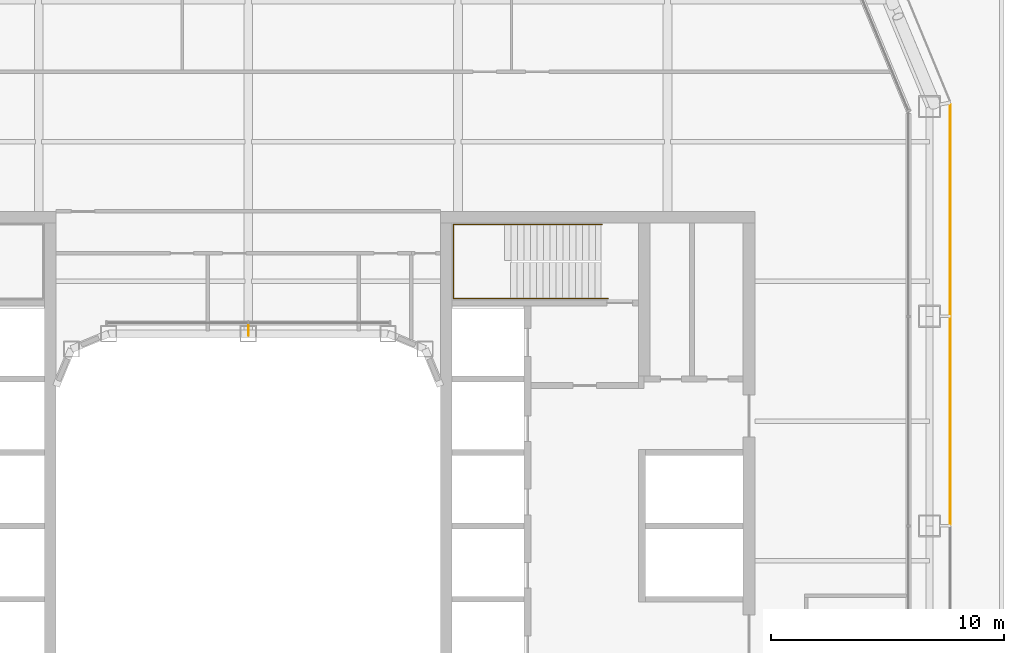
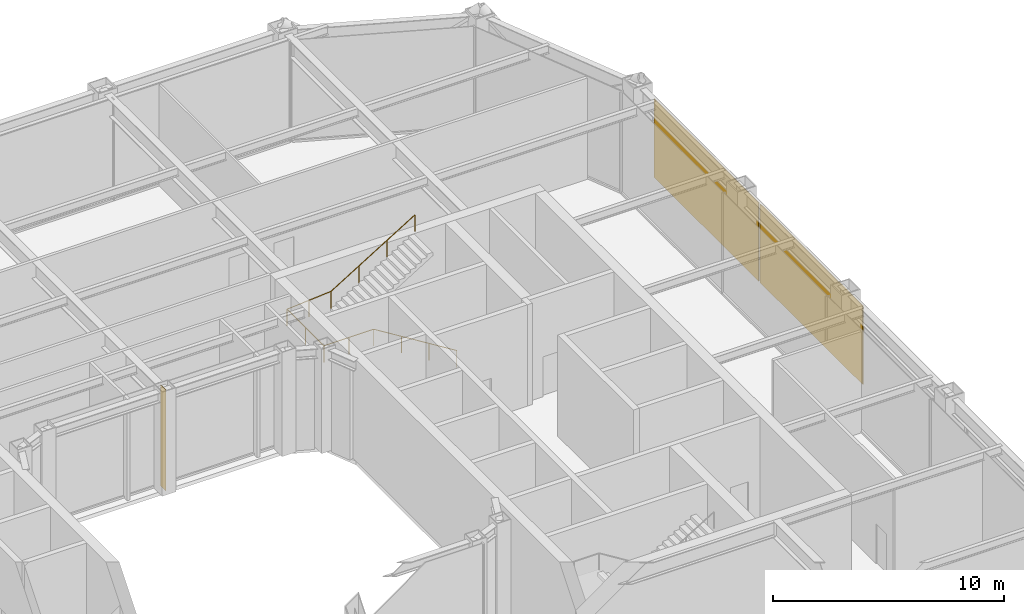
# One storey, part 20 of 21: 2 coverings, 1 railing, 1 shading device.
"""IFC4 building model written with IfcOpenShell, lengths in metres."""

import ifcopenshell
import ifcopenshell.guid

model = None  # the IFC model being written
_history = None  # IfcOwnerHistory: only IFC2X3 demands one
_inside = {}  # id of a spatial element -> (the spatial element, [elements in it])
_under = {}  # id of a project, library or spatial element -> (it, [spatial elements below it])
_declared = {}  # id of a project -> (the project, [libraries it declares])
_typed = {}  # id of a type object -> (the type object, [elements of that type])
_made_of = {}  # id of a material, layer set ... -> (it, [elements and type objects made of it])


def new_model(schema):
    """Start an empty IFC model of exactly this schema.

    Asked for "IFC4X3", IfcOpenShell would pick the latest addendum, in which some entities
    have other attributes; the version numbers below select the first issue.
    IFC2X3 requires an IfcOwnerHistory on every rooted entity: one is made here for all.
    """
    global model, _history
    if schema == "IFC4X3":
        model = ifcopenshell.file(schema_version=(4, 3, 0, 0))
    else:
        model = ifcopenshell.file(schema=schema)
    _inside.clear()
    _under.clear()
    _declared.clear()
    _typed.clear()
    _made_of.clear()
    _history = None
    if model.schema == "IFC2X3":
        org = make("IfcOrganization", Name="unknown")
        user = make(
            "IfcPersonAndOrganization",
            ThePerson=make("IfcPerson", FamilyName="unknown"),
            TheOrganization=org,
        )
        app = make(
            "IfcApplication",
            ApplicationDeveloper=org,
            Version="unknown",
            ApplicationFullName="unknown",
            ApplicationIdentifier="unknown",
        )
        _history = make(
            "IfcOwnerHistory",
            OwningUser=user,
            OwningApplication=app,
            ChangeAction="ADDED",
            CreationDate=0,
        )
    return model


def make(cls, **values):
    """One entity of the class cls with the attributes given. An attribute that is None is left unset."""
    return model.create_entity(
        cls, **{name: value for name, value in values.items() if value is not None}
    )


def rooted(cls, **values):
    """An entity with a GlobalId (a new one), such as an element, a storey or a relation."""
    return make(cls, GlobalId=ifcopenshell.guid.new(), OwnerHistory=_history, **values)


def si_unit(unit_type, name, prefix=None):
    """IfcSIUnit, for example si_unit("LENGTHUNIT", "METRE", prefix="MILLI")."""
    return make("IfcSIUnit", UnitType=unit_type, Prefix=prefix, Name=name)


def assignment(units):
    """IfcUnitAssignment: the units of a project."""
    return None if units is None else make("IfcUnitAssignment", Units=units)


def point(xyz):
    """IfcCartesianPoint."""
    return None if xyz is None else make("IfcCartesianPoint", Coordinates=xyz)


def direction(xyz):
    """IfcDirection."""
    return None if xyz is None else make("IfcDirection", DirectionRatios=xyz)


def frame(location, z_axis=None, x_axis=None):
    """IfcAxis2Placement3D, a coordinate frame: its origin and axes. An axis left out is left unset."""
    return make(
        "IfcAxis2Placement3D",
        Location=point(location),
        Axis=direction(z_axis),
        RefDirection=direction(x_axis),
    )


def frame_2d(location, x_axis=None):
    """IfcAxis2Placement2D, a coordinate frame in the plane: its origin and x axis."""
    return make(
        "IfcAxis2Placement2D", Location=point(location), RefDirection=direction(x_axis)
    )


def origin():
    """The frame at (0, 0, 0) with its axes left unset."""
    return frame((0.0, 0.0, 0.0))


def origin_2d():
    """The frame at (0, 0) in the plane with its x axis left unset."""
    return frame_2d((0.0, 0.0))


def place(relative_to, where):
    """IfcLocalPlacement: puts the frame where relative to a parent placement (None: the world)."""
    return make(
        "IfcLocalPlacement", PlacementRelTo=relative_to, RelativePlacement=where
    )


def context(
    kind, dimensions, precision=None, world=None, true_north=None, identifier=None
):
    """IfcGeometricRepresentationContext, for example the 3D "Model" context."""
    return make(
        "IfcGeometricRepresentationContext",
        ContextIdentifier=identifier,
        ContextType=kind,
        CoordinateSpaceDimension=dimensions,
        Precision=precision,
        WorldCoordinateSystem=world,
        TrueNorth=true_north,
    )


def subcontext(parent, identifier, kind, view, scale=None):
    """IfcGeometricRepresentationSubContext, for example "Body" below "Model"."""
    return make(
        "IfcGeometricRepresentationSubContext",
        ContextIdentifier=identifier,
        ContextType=kind,
        ParentContext=parent,
        TargetScale=scale,
        TargetView=view,
    )


def project(units=None, contexts=None):
    """IfcProject with its units and contexts."""
    return rooted(
        "IfcProject",
        Name="project",
        RepresentationContexts=contexts,
        UnitsInContext=assignment(units),
    )


def spatial(cls, under=None, at=None, **own):
    """A site, building, storey or space (cls), placed at a placement, below another one or the project."""
    s = rooted(cls, ObjectPlacement=at, **own)
    if under is not None:
        _under.setdefault(under.id(), (under, []))[1].append(s)
    return s


def profile(cls, at=None, kind="AREA", **sizes):
    """A parametric profile (cls). Its sizes go by their IFC names, for example OverallWidth=200.0."""
    return make(cls, ProfileType=kind, Position=at, **sizes)


def rectangle(**sizes):
    """IfcRectangleProfileDef."""
    return profile("IfcRectangleProfileDef", **sizes)


def circle(**sizes):
    """IfcCircleProfileDef."""
    return profile("IfcCircleProfileDef", **sizes)


def extrude(swept, where, along, depth):
    """IfcExtrudedAreaSolid: the profile swept, set in the frame where, extruded along a direction by depth."""
    return make(
        "IfcExtrudedAreaSolid",
        SweptArea=swept,
        Position=where,
        ExtrudedDirection=direction(along),
        Depth=depth,
    )


def shape(context_of_items, identifier, shape_type, items):
    """IfcShapeRepresentation: the items that make up one representation, for example the "Body"."""
    return make(
        "IfcShapeRepresentation",
        ContextOfItems=context_of_items,
        RepresentationIdentifier=identifier,
        RepresentationType=shape_type,
        Items=items,
    )


def material(Name=None, Category=None):
    """IfcMaterial."""
    return make("IfcMaterial", Name=Name, Category=Category)


def layer(
    of_material, thickness, ventilated=None, Name=None, Category=None, Priority=None
):
    """IfcMaterialLayer: one layer of a wall or slab, of a material (None: an air gap)."""
    return make(
        "IfcMaterialLayer",
        Material=of_material,
        LayerThickness=thickness,
        IsVentilated=ventilated,
        Name=Name,
        Category=Category,
        Priority=Priority,
    )


def layer_set(layers, Name=None):
    """IfcMaterialLayerSet."""
    return make("IfcMaterialLayerSet", MaterialLayers=layers, LayerSetName=Name)


def made_of(thing, what):
    """Note that an element or type object is made of a material, layer set ...; save() writes the relation."""
    if what is not None:
        _made_of.setdefault(what.id(), (what, []))[1].append(thing)
    return thing


def type_object(cls, material=None, **own):
    """A type object (cls), such as IfcWallType, which elements share."""
    return made_of(rooted(cls, **own), material)


def element(
    cls,
    number,
    at=None,
    inside=None,
    cuts=None,
    type_object=None,
    material=None,
    context=None,
    identifier="Body",
    shape_type=None,
    held_by="IfcProductDefinitionShape",
    body=None,
    shapes=None,
    **own,
):
    """One element of the class cls, such as IfcWall. Its Tag is "e" and its number.

    at: its placement. inside: the storey or other place that contains it. cuts: it is an
    opening in that element (IfcRelVoidsElement). A single representation is given by context,
    identifier, shape_type and body (its items); several are given by shapes. held_by: the class
    of the entity that holds the representations. save() writes the other relations.
    """
    e = rooted(cls, Tag="e%d" % number, ObjectPlacement=at, **own)
    if body is not None:
        shapes = [shape(context, identifier, shape_type, body)]
    if shapes is not None:
        e.Representation = make(held_by, Representations=shapes)
    if inside is not None:
        _inside.setdefault(inside.id(), (inside, []))[1].append(e)
    if cuts is not None:
        rooted(
            "IfcRelVoidsElement", RelatingBuildingElement=cuts, RelatedOpeningElement=e
        )
    if type_object is not None:
        _typed.setdefault(type_object.id(), (type_object, []))[1].append(e)
    return made_of(e, material)


def aggregate(whole, parts):
    """IfcRelAggregates: a whole, such as a stair, and the parts it consists of."""
    return rooted("IfcRelAggregates", RelatingObject=whole, RelatedObjects=parts)


def save(model, path):
    """Write the relations noted so far, then the file.

    IfcRelAggregates (storeys below a building ...), IfcRelContainedInSpatialStructure (elements
    in a storey), IfcRelDefinesByType, IfcRelAssociatesMaterial and IfcRelDeclares: one each for
    every whole, place, type object, material and project.
    """
    for whole, parts in _under.values():
        aggregate(whole, parts)
    for where, things in _inside.values():
        rooted(
            "IfcRelContainedInSpatialStructure",
            RelatedElements=things,
            RelatingStructure=where,
        )
    for kind, things in _typed.values():
        rooted("IfcRelDefinesByType", RelatedObjects=things, RelatingType=kind)
    for what, things in _made_of.values():
        rooted("IfcRelAssociatesMaterial", RelatedObjects=things, RelatingMaterial=what)
    for by, libraries in _declared.values():
        rooted("IfcRelDeclares", RelatingContext=by, RelatedDefinitions=libraries)
    model.write(path)


model = new_model("IFC4")

# Units and contexts
model_context = context("Model", 3, precision=1e-05, world=origin(), true_north=direction((0.0, 1.0)))
body_context = subcontext(model_context, "Body", "Model", "MODEL_VIEW")
ifc_project = project(units=[si_unit("LENGTHUNIT", "METRE"), si_unit("AREAUNIT", "SQUARE_METRE"), si_unit("VOLUMEUNIT", "CUBIC_METRE"), si_unit("PLANEANGLEUNIT", "RADIAN"), si_unit("MASSUNIT", "GRAM", prefix="KILO")], contexts=[model_context])

# Site, building, storey
site_placement = place(None, origin())
site = spatial("IfcSite", under=ifc_project, at=site_placement, CompositionType="ELEMENT")
building_placement = place(site_placement, origin())
building = spatial("IfcBuilding", under=site, at=building_placement, Name="Siwar Civic Tower", CompositionType="ELEMENT")
storey_placement = place(building_placement, frame((0.0, 0.0, 99.199951171875)))
storey = spatial("IfcBuildingStorey", under=building, at=storey_placement, Name="L21", CompositionType="ELEMENT", Elevation=99.199951171875)

# Railing
ifc_material_1 = material(Name="Stainless steel", Category="steel")
railing_type = type_object("IfcRailingType", Name="CORE-STAIR-HANDRAIL", PredefinedType="HANDRAIL", material=ifc_material_1)
railing_placement = place(storey_placement, frame((15.449951171875, 9.758056640625, 0.171875)))
element("IfcRailing", 1, at=railing_placement, inside=storey, type_object=railing_type, Name="Stair handrail ST3", PredefinedType="HANDRAIL", context=body_context, shape_type="SweptSolid", body=[
    extrude(circle(Radius=0.02001953125, at=origin_2d()), frame((0.0, 0.0, 0.8798828125), z_axis=(-0.849426996612, 0.0, 0.527706146854), x_axis=(0.0, -1.0, 0.0)), (0.0, 0.0, 1.0), 4.885498046875),
    extrude(circle(Radius=0.02001953125, at=origin_2d()), frame((-4.14990234375, 0.0, 3.4580078125), z_axis=(-1.0, 0.0, 0.0), x_axis=(0.0, -1.0, 0.0)), (0.0, 0.0, 1.0), 2.491943359375),
    extrude(circle(Radius=0.02001953125, at=origin_2d()), frame((-6.641845703125, 0.0, 3.4580078125), z_axis=(0.0, 1.0, 0.0), x_axis=(-1.0, 0.0, 0.0)), (0.0, 0.0, 1.0), 3.183837890625),
    extrude(circle(Radius=0.02001953125, at=origin_2d()), frame((-6.641845703125, 3.183837890625, 3.4580078125), z_axis=(0.996939735461, 0.0, 0.078173933367), x_axis=(0.0, 1.0, 0.0)), (0.0, 0.0, 1.0), 2.19873046875),
    extrude(circle(Radius=0.02001953125, at=origin_2d()), frame((-4.449951171875, 3.183837890625, 3.6298828125), z_axis=(0.852242915053, 0.0, 0.523146264196), x_axis=(0.0, 1.0, 0.0)), (0.0, 0.0, 1.0), 4.92822265625),
    extrude(circle(Radius=0.02001953125, at=origin_2d()), origin(), (0.0, 0.0, 1.0), 0.85986328125),
    extrude(circle(Radius=0.02001953125, at=origin_2d()), frame((-1.38330078125, 0.0, 0.859375)), (0.0, 0.0, 1.0), 0.85986328125),
    extrude(circle(Radius=0.02001953125, at=origin_2d()), frame((-2.7666015625, 0.0, 1.71875)), (0.0, 0.0, 1.0), 0.85986328125),
    extrude(circle(Radius=0.02001953125, at=origin_2d()), frame((-4.14990234375, 0.0, 2.578125)), (0.0, 0.0, 1.0), 0.85986328125),
    extrude(circle(Radius=0.02001953125, at=origin_2d()), frame((-5.39599609375, 0.0, 2.578125)), (0.0, 0.0, 1.0), 0.85986328125),
    extrude(circle(Radius=0.02001953125, at=origin_2d()), frame((-6.641845703125, 0.0, 2.578125)), (0.0, 0.0, 1.0), 0.85986328125),
    extrude(circle(Radius=0.02001953125, at=origin_2d()), frame((-6.641845703125, 1.591796875, 2.578125)), (0.0, 0.0, 1.0), 0.85986328125),
    extrude(circle(Radius=0.02001953125, at=origin_2d()), frame((-6.641845703125, 3.183837890625, 2.578125)), (0.0, 0.0, 1.0), 0.85986328125),
    extrude(circle(Radius=0.02001953125, at=origin_2d()), frame((-5.5458984375, 3.183837890625, 2.6640625)), (0.0, 0.0, 1.0), 0.85986328125),
    extrude(circle(Radius=0.02001953125, at=origin_2d()), frame((-4.449951171875, 3.183837890625, 2.75)), (0.0, 0.0, 1.0), 0.85986328125),
    extrude(circle(Radius=0.02001953125, at=origin_2d()), frame((-3.050048828125, 3.183837890625, 3.609375)), (0.0, 0.0, 1.0), 0.85986328125),
    extrude(circle(Radius=0.02001953125, at=origin_2d()), frame((-1.64990234375, 3.183837890625, 4.46875)), (0.0, 0.0, 1.0), 0.85986328125),
    extrude(circle(Radius=0.02001953125, at=origin_2d()), frame((-0.25, 3.183837890625, 5.328125)), (0.0, 0.0, 1.0), 0.85986328125),
])

# Shading device
ifc_material_2 = material(Name="Aluminium 6063-T6", Category="aluminium")
ifc_layer_1 = layer(ifc_material_2, 0.02001953125)
ifc_layer_set_1 = layer_set([ifc_layer_1], Name="Aluminium 6063-T6")
shading_device_type = type_object("IfcShadingDeviceType", Name="ENV-FIN", PredefinedType="JALOUSIE", material=ifc_layer_set_1)
shading_device_placement = place(storey_placement, frame((0.0, 8.39501953125, 0.0), z_axis=(0.0, 0.0, 1.0), x_axis=(-1.0, 0.0, 0.0)))
element("IfcShadingDevice", 2, at=shading_device_placement, inside=storey, type_object=shading_device_type, Name="SUNSHADE fin WN 1", PredefinedType="JALOUSIE", context=body_context, shape_type="SweptSolid", body=[
    extrude(rectangle(XDim=0.02001953125, YDim=0.449951171875, at=origin_2d()), origin(), (0.0, 0.0, 1.0), 5.35009765625),
])

# Coverings
ifc_material_3 = material(Name="Perforated aluminium cassette, pale metal", Category="aluminium")
ifc_layer_2 = layer(ifc_material_3, 0.0400390625)
ifc_layer_set_2 = layer_set([ifc_layer_2], Name="Perforated aluminium cassette, pale metal")
covering_type = type_object("IfcCoveringType", Name="ENV-OUTER SKIN OS-1", PredefinedType="CLADDING", material=ifc_layer_set_2)
covering_1_placement = place(storey_placement, frame((30.14990234375, 4.5, 0.0), z_axis=(0.0, 0.0, 1.0), x_axis=(0.0, 1.0, 0.0)))
element("IfcCovering", 3, at=covering_1_placement, inside=storey, type_object=covering_type, Name="OUTER SKIN OS-1 E 3", PredefinedType="CLADDING", context=body_context, shape_type="SweptSolid", body=[
    extrude(rectangle(XDim=8.89990234375, YDim=0.0400390625, at=origin_2d()), origin(), (0.0, 0.0, 1.0), 4.14990234375),
])
covering_2_placement = place(storey_placement, frame((30.14990234375, 13.57958984375, 0.0), z_axis=(0.0, 0.0, 1.0), x_axis=(0.0, 1.0, 0.0)))
element("IfcCovering", 4, at=covering_2_placement, inside=storey, type_object=covering_type, Name="OUTER SKIN OS-1 E 4", PredefinedType="CLADDING", context=body_context, shape_type="SweptSolid", body=[
    extrude(rectangle(XDim=9.05908203125, YDim=0.0400390625, at=origin_2d()), origin(), (0.0, 0.0, 1.0), 4.14990234375),
])

save(model, "model.ifc")
